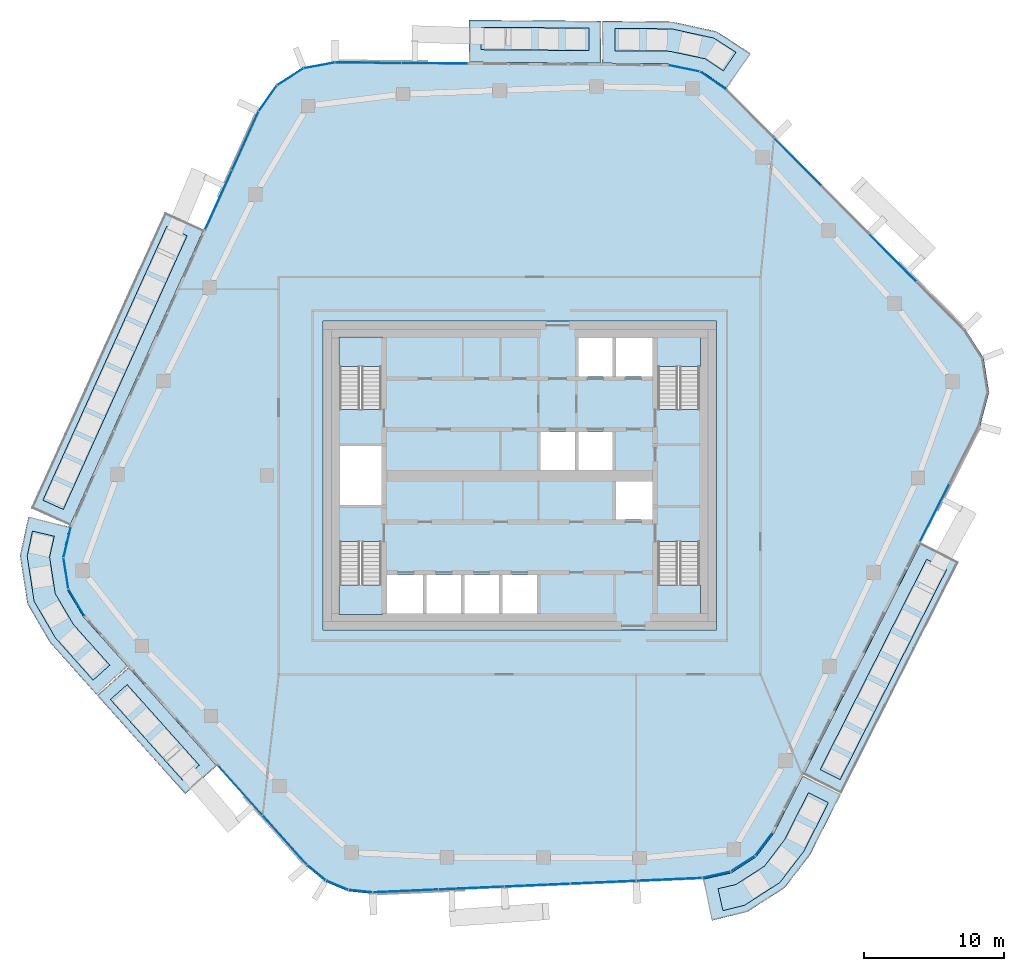
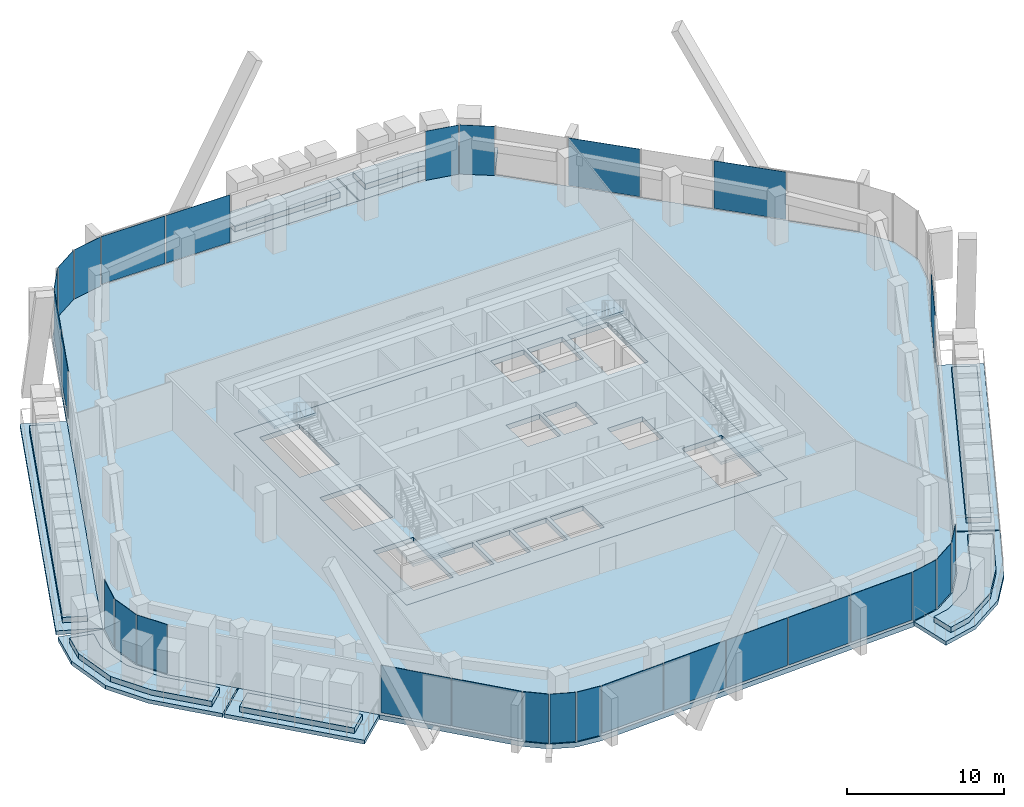
# One storey, part 11 of 23: 28 plates, 20 slabs, 15 elements without a shape of their own.
"""IFC4 building model written with IfcOpenShell, lengths in metres."""

from ifc_helpers import new_model, si_unit, direction, frame, origin, origin_2d, place, context, subcontext, project, spatial, polyline, rectangle, outline, extrude, material, layer, layer_set, type_object, element, aggregate, save


model = new_model("IFC4")

# Units and contexts
model_context = context("Model", 3, precision=1e-05, world=origin(), true_north=direction((0.0, 1.0)))
body_context = subcontext(model_context, "Body", "Model", "MODEL_VIEW")
ifc_project = project(units=[si_unit("LENGTHUNIT", "METRE"), si_unit("AREAUNIT", "SQUARE_METRE"), si_unit("VOLUMEUNIT", "CUBIC_METRE"), si_unit("PLANEANGLEUNIT", "RADIAN"), si_unit("MASSUNIT", "GRAM", prefix="KILO")], contexts=[model_context])

# Site, building, storey
site_placement = place(None, origin())
site = spatial("IfcSite", under=ifc_project, at=site_placement, CompositionType="ELEMENT")
building_placement = place(site_placement, origin())
building = spatial("IfcBuilding", under=site, at=building_placement, Name="Dongbaek Canopy Tower", CompositionType="ELEMENT")
storey_placement = place(building_placement, frame((0.0, 0.0, 327.800048828125)))
storey = spatial("IfcBuildingStorey", under=building, at=storey_placement, Name="L70", CompositionType="ELEMENT", Elevation=327.800048828125)

# Slabs
ifc_material_1 = material(Name="Concrete C40/50", Category="concrete")
ifc_layer_1 = layer(ifc_material_1, 0.300048828125)
ifc_layer_set_1 = layer_set([ifc_layer_1], Name="Balcony slab 300")
slab_type_1 = type_object("IfcSlabType", Name="Balcony slab 300", PredefinedType="FLOOR", material=ifc_layer_set_1)
slab_1_placement = place(storey_placement, frame((0.0, 0.0, -0.300048828125)))
element("IfcSlab", 1, at=slab_1_placement, inside=storey, type_object=slab_type_1, Name="Balcony L70 1", PredefinedType="FLOOR", context=body_context, shape_type="SweptSolid", body=[
    extrude(outline(polyline([(5.77734375, 29.36767578125), (-3.613037109375, 29.440673828125), (-3.58984375, 32.440673828125), (5.80078125, 32.36767578125), (5.77734375, 29.36767578125)])), origin(), (0.0, 0.0, 1.0), 0.300048828125),
])
slab_2_placement = place(storey_placement, frame((0.0, 0.0, -0.300048828125)))
element("IfcSlab", 2, at=slab_2_placement, inside=storey, type_object=slab_type_1, Name="Balcony L70 5", PredefinedType="FLOOR", context=body_context, shape_type="SweptSolid", body=[
    extrude(outline(polyline([(14.750732421875, 27.57763671875), (12.859130859375, 28.8583984375), (10.57275390625, 29.330322265625), (5.87744140625, 29.366943359375), (5.90087890625, 32.366943359375), (10.88916015625, 32.313720703125), (14.025634765625, 31.622314453125), (16.432861328125, 30.061767578125), (14.750732421875, 27.57763671875)])), origin(), (0.0, 0.0, 1.0), 0.300048828125),
])
slab_3_placement = place(storey_placement, frame((0.0, 0.0, -0.300048828125)))
element("IfcSlab", 3, at=slab_3_placement, inside=storey, type_object=slab_type_1, Name="Balcony L70 2", PredefinedType="FLOOR", context=body_context, shape_type="SweptSolid", body=[
    extrude(outline(polyline([(-22.5107421875, 17.49072265625), (-32.026611328125, -3.54736328125), (-34.760009765625, -2.31103515625), (-25.244140625, 18.72705078125), (-22.5107421875, 17.49072265625)])), origin(), (0.0, 0.0, 1.0), 0.300048828125),
])
slab_4_placement = place(storey_placement, frame((0.0, 0.0, -0.300048828125)))
element("IfcSlab", 4, at=slab_4_placement, inside=storey, type_object=slab_type_1, Name="Balcony L70 3", PredefinedType="FLOOR", context=body_context, shape_type="SweptSolid", body=[
    extrude(outline(polyline([(-27.848388671875, -13.645751953125), (-21.575927734375, -20.65478515625), (-23.811279296875, -22.6552734375), (-30.083984375, -15.646484375), (-27.848388671875, -13.645751953125)])), origin(), (0.0, 0.0, 1.0), 0.300048828125),
])
slab_5_placement = place(storey_placement, frame((0.0, 0.0, -0.300048828125)))
element("IfcSlab", 5, at=slab_5_placement, inside=storey, type_object=slab_type_1, Name="Balcony L70 6", PredefinedType="FLOOR", context=body_context, shape_type="SweptSolid", body=[
    extrude(outline(polyline([(-32.05859375, -3.6416015625), (-32.57568359375, -5.82666015625), (-32.226806640625, -8.09521484375), (-31.051513671875, -10.06689453125), (-27.9150390625, -13.5712890625), (-30.150634765625, -15.572021484375), (-33.46875, -11.843505859375), (-35.0498046875, -9.110107421875), (-35.5732421875, -5.70703125), (-34.97802734375, -2.950927734375), (-32.05859375, -3.6416015625)])), origin(), (0.0, 0.0, 1.0), 0.300048828125),
])
slab_6_placement = place(storey_placement, frame((0.0, 0.0, -0.300048828125)))
element("IfcSlab", 6, at=slab_6_placement, inside=storey, type_object=slab_type_1, Name="Balcony L70 4", PredefinedType="FLOOR", context=body_context, shape_type="SweptSolid", body=[
    extrude(outline(polyline([(20.214111328125, -21.2763671875), (28.56201171875, -4.800537109375), (31.238037109375, -6.156494140625), (22.89013671875, -22.63232421875), (20.214111328125, -21.2763671875)])), origin(), (0.0, 0.0, 1.0), 0.300048828125),
])
slab_7_placement = place(storey_placement, frame((0.0, 0.0, -0.300048828125)))
element("IfcSlab", 7, at=slab_7_placement, inside=storey, type_object=slab_type_1, Name="Balcony L70 7", PredefinedType="FLOOR", context=body_context, shape_type="SweptSolid", body=[
    extrude(outline(polyline([(13.05126953125, -28.73388671875), (15.05712890625, -28.285400390625), (16.82666015625, -27.144287109375), (18.09326171875, -25.462158203125), (20.1689453125, -21.365478515625), (22.844970703125, -22.721435546875), (20.639404296875, -27.048583984375), (18.86962890625, -29.34130859375), (16.21533203125, -31.052734375), (13.705810546875, -31.66162109375), (13.05126953125, -28.73388671875)])), origin(), (0.0, 0.0, 1.0), 0.300048828125),
])

# Curtain wall, plates
ifc_material_2 = material(Name="Aluminium 6063-T6 pale anodised", Category="aluminium")
ifc_layer_2 = layer(ifc_material_2, 0.199951171875)
ifc_layer_set_2 = layer_set([ifc_layer_2], Name="CW-1 unitised tower curtain wall")
curtain_wall_type = type_object("IfcCurtainWallType", Name="CW-1 unitised tower curtain wall", PredefinedType="NOTDEFINED", material=ifc_layer_set_2)
curtain_wall_1_placement = place(storey_placement, origin())
curtain_wall_1 = element("IfcCurtainWall", 8, at=curtain_wall_1_placement, inside=storey, type_object=curtain_wall_type, Name="CW-1 curtain wall F0.1", PredefinedType="NOTDEFINED")
ifc_material_3 = material(Name="Clear laminated glass", Category="glass")
ifc_layer_3 = layer(ifc_material_3, 0.028076171875)
ifc_layer_set_3 = layer_set([ifc_layer_3], Name="CW-1 glazed panel 28")
plate_type = type_object("IfcPlateType", Name="CW-1 glazed panel 28", PredefinedType="CURTAIN_PANEL", material=ifc_layer_set_3)
plate_1_placement = place(storey_placement, frame((26.552978515625, 15.5146484375, 0.1201171875), z_axis=(0.0, 0.0, 1.0), x_axis=(-0.703156354287, 0.711035260325, 0.0)))
plate_1 = element("IfcPlate", 9, at=plate_1_placement, type_object=plate_type, Name="CW-1 panel F0.1.2.1", PredefinedType="CURTAIN_PANEL", context=body_context, shape_type="SweptSolid", body=[
    extrude(rectangle(XDim=4.7236328125, YDim=0.028076171875, at=origin_2d()), origin(), (0.0, 0.0, 1.0), 3.699951171875),
])
plate_2_placement = place(storey_placement, frame((19.7919921875, 22.3515625, 0.1201171875), z_axis=(0.0, 0.0, 1.0), x_axis=(-0.703156354287, 0.711035260325, 0.0)))
plate_2 = element("IfcPlate", 10, at=plate_2_placement, type_object=plate_type, Name="CW-1 panel F0.1.4.1", PredefinedType="CURTAIN_PANEL", context=body_context, shape_type="SweptSolid", body=[
    extrude(rectangle(XDim=4.7236328125, YDim=0.028076171875, at=origin_2d()), origin(), (0.0, 0.0, 1.0), 3.699951171875),
])
aggregate(curtain_wall_1, [plate_1, plate_2])

curtain_wall_2_placement = place(storey_placement, origin())
curtain_wall_2 = element("IfcCurtainWall", 11, at=curtain_wall_2_placement, inside=storey, type_object=curtain_wall_type, Name="CW-1 curtain wall K1.1", PredefinedType="NOTDEFINED")
plate_3_placement = place(storey_placement, frame((13.773681640625, 28.118408203125, 0.0), z_axis=(0.0, 0.0, 1.0), x_axis=(-0.828051778261, 0.560651632049, 0.0)))
plate_3 = element("IfcPlate", 12, at=plate_3_placement, type_object=plate_type, Name="CW-1 panel K1.1.1.1", PredefinedType="CURTAIN_PANEL", context=body_context, shape_type="SweptSolid", body=[
    extrude(rectangle(XDim=2.220947265625, YDim=0.028076171875, at=origin_2d()), origin(), (0.0, 0.0, 1.0), 3.820068359375),
])
plate_4_placement = place(storey_placement, frame((11.690673828125, 28.99755859375, 0.0), z_axis=(0.0, 0.0, 1.0), x_axis=(-0.979349311488, 0.2021754834, 0.0)))
plate_4 = element("IfcPlate", 13, at=plate_4_placement, type_object=plate_type, Name="CW-1 panel K1.1.2.1", PredefinedType="CURTAIN_PANEL", context=body_context, shape_type="SweptSolid", body=[
    extrude(rectangle(XDim=2.220947265625, YDim=0.028076171875, at=origin_2d()), origin(), (0.0, 0.0, 1.0), 3.820068359375),
])
aggregate(curtain_wall_2, [plate_3, plate_4])

curtain_wall_3_placement = place(storey_placement, origin())
curtain_wall_3 = element("IfcCurtainWall", 14, at=curtain_wall_3_placement, inside=storey, type_object=curtain_wall_type, Name="CW-1 curtain wall F1.1", PredefinedType="NOTDEFINED")
plate_5_placement = place(storey_placement, frame((-6.03662109375, 29.359619140625, 0.1201171875), z_axis=(0.0, 0.0, 1.0), x_axis=(-0.999969721279, 0.007781807363, 0.0)))
plate_5 = element("IfcPlate", 15, at=plate_5_placement, type_object=plate_type, Name="CW-1 panel F1.1.1.1", PredefinedType="CURTAIN_PANEL", context=body_context, shape_type="SweptSolid", body=[
    extrude(rectangle(XDim=4.661376953125, YDim=0.028076171875, at=origin_2d()), origin(), (0.0, 0.0, 1.0), 3.699951171875),
])
plate_6_placement = place(storey_placement, frame((-10.777099609375, 29.396484375, 0.1201171875), z_axis=(0.0, 0.0, 1.0), x_axis=(-0.999969721279, 0.007781807363, 0.0)))
plate_6 = element("IfcPlate", 16, at=plate_6_placement, type_object=plate_type, Name="CW-1 panel F1.1.2.1", PredefinedType="CURTAIN_PANEL", context=body_context, shape_type="SweptSolid", body=[
    extrude(rectangle(XDim=4.65185546875, YDim=0.028076171875, at=origin_2d()), origin(), (0.0, 0.0, 1.0), 3.699951171875),
])
aggregate(curtain_wall_3, [plate_5, plate_6])

curtain_wall_4_placement = place(storey_placement, origin())
curtain_wall_4 = element("IfcCurtainWall", 17, at=curtain_wall_4_placement, inside=storey, type_object=curtain_wall_type, Name="CW-1 curtain wall K2.1", PredefinedType="NOTDEFINED")
plate_7_placement = place(storey_placement, frame((-14.2578125, 29.207275390625, 0.0), z_axis=(0.0, 0.0, 1.0), x_axis=(-0.983024896136, -0.183472214729, 0.0)))
plate_7 = element("IfcPlate", 18, at=plate_7_placement, type_object=plate_type, Name="CW-1 panel K2.1.1.1", PredefinedType="CURTAIN_PANEL", context=body_context, shape_type="SweptSolid", body=[
    extrude(rectangle(XDim=2.18017578125, YDim=0.028076171875, at=origin_2d()), origin(), (0.0, 0.0, 1.0), 3.820068359375),
])
plate_8_placement = place(storey_placement, frame((-16.3203125, 28.39208984375, 0.0), z_axis=(0.0, 0.0, 1.0), x_axis=(-0.842377584823, -0.538887747668, 0.0)))
plate_8 = element("IfcPlate", 19, at=plate_8_placement, type_object=plate_type, Name="CW-1 panel K2.1.2.1", PredefinedType="CURTAIN_PANEL", context=body_context, shape_type="SweptSolid", body=[
    extrude(rectangle(XDim=2.17041015625, YDim=0.028076171875, at=origin_2d()), origin(), (0.0, 0.0, 1.0), 3.820068359375),
])
plate_9_placement = place(storey_placement, frame((-17.9248046875, 26.861328125, 0.0), z_axis=(0.0, 0.0, 1.0), x_axis=(-0.578657335452, -0.815570774444, 0.0)))
plate_9 = element("IfcPlate", 20, at=plate_9_placement, type_object=plate_type, Name="CW-1 panel K2.1.3.1", PredefinedType="CURTAIN_PANEL", context=body_context, shape_type="SweptSolid", body=[
    extrude(rectangle(XDim=2.18017578125, YDim=0.028076171875, at=origin_2d()), origin(), (0.0, 0.0, 1.0), 3.820068359375),
])
aggregate(curtain_wall_4, [plate_7, plate_8, plate_9])

curtain_wall_5_placement = place(storey_placement, origin())
curtain_wall_5 = element("IfcCurtainWall", 21, at=curtain_wall_5_placement, inside=storey, type_object=curtain_wall_type, Name="CW-1 curtain wall F2.1", PredefinedType="NOTDEFINED")
plate_10_placement = place(storey_placement, frame((-19.53369140625, 23.829345703125, 0.1201171875), z_axis=(0.0, 0.0, 1.0), x_axis=(-0.412122242389, -0.911128562459, 0.0)))
plate_10 = element("IfcPlate", 22, at=plate_10_placement, type_object=plate_type, Name="CW-1 panel F2.1.1.1", PredefinedType="CURTAIN_PANEL", context=body_context, shape_type="SweptSolid", body=[
    extrude(rectangle(XDim=4.54443359375, YDim=0.028076171875, at=origin_2d()), origin(), (0.0, 0.0, 1.0), 3.699951171875),
])
plate_11_placement = place(storey_placement, frame((-21.443115234375, 19.60791015625, 0.1201171875), z_axis=(0.0, 0.0, 1.0), x_axis=(-0.412122242389, -0.911128562459, 0.0)))
plate_11 = element("IfcPlate", 23, at=plate_11_placement, type_object=plate_type, Name="CW-1 panel F2.1.2.1", PredefinedType="CURTAIN_PANEL", context=body_context, shape_type="SweptSolid", body=[
    extrude(rectangle(XDim=4.553955078125, YDim=0.028076171875, at=origin_2d()), origin(), (0.0, 0.0, 1.0), 3.699951171875),
])
aggregate(curtain_wall_5, [plate_10, plate_11])

curtain_wall_6_placement = place(storey_placement, origin())
curtain_wall_6 = element("IfcCurtainWall", 24, at=curtain_wall_6_placement, inside=storey, type_object=curtain_wall_type, Name="CW-1 curtain wall K3.1", PredefinedType="NOTDEFINED")
plate_12_placement = place(storey_placement, frame((-32.212890625, -4.72802734375, 0.0), z_axis=(0.0, 0.0, 1.0), x_axis=(-0.2302319643, -0.973135778098, 0.0)))
plate_12 = element("IfcPlate", 25, at=plate_12_placement, type_object=plate_type, Name="CW-1 panel K3.1.1.1", PredefinedType="CURTAIN_PANEL", context=body_context, shape_type="SweptSolid", body=[
    extrude(rectangle(XDim=2.18212890625, YDim=0.028076171875, at=origin_2d()), origin(), (0.0, 0.0, 1.0), 3.820068359375),
])
plate_13_placement = place(storey_placement, frame((-32.30224609375, -6.94580078125, 0.0), z_axis=(0.0, 0.0, 1.0), x_axis=(0.152024279653, -0.988376759336, 0.0)))
plate_13 = element("IfcPlate", 26, at=plate_13_placement, type_object=plate_type, Name="CW-1 panel K3.1.2.1", PredefinedType="CURTAIN_PANEL", context=body_context, shape_type="SweptSolid", body=[
    extrude(rectangle(XDim=2.17236328125, YDim=0.028076171875, at=origin_2d()), origin(), (0.0, 0.0, 1.0), 3.820068359375),
])
plate_14_placement = place(storey_placement, frame((-31.550537109375, -9.0341796875, 0.0), z_axis=(0.0, 0.0, 1.0), x_axis=(0.512031447433, -0.858966702987, 0.0)))
plate_14 = element("IfcPlate", 27, at=plate_14_placement, type_object=plate_type, Name="CW-1 panel K3.1.3.1", PredefinedType="CURTAIN_PANEL", context=body_context, shape_type="SweptSolid", body=[
    extrude(rectangle(XDim=2.18212890625, YDim=0.028076171875, at=origin_2d()), origin(), (0.0, 0.0, 1.0), 3.820068359375),
])
aggregate(curtain_wall_6, [plate_12, plate_13, plate_14])

curtain_wall_7_placement = place(storey_placement, origin())
curtain_wall_7 = element("IfcCurtainWall", 28, at=curtain_wall_7_placement, inside=storey, type_object=curtain_wall_type, Name="CW-1 curtain wall F3.1", PredefinedType="NOTDEFINED")
plate_15_placement = place(storey_placement, frame((-19.88330078125, -22.396240234375, 0.1201171875), z_axis=(0.0, 0.0, 1.0), x_axis=(0.666880185022, -0.745164960814, 0.0)))
plate_15 = element("IfcPlate", 29, at=plate_15_placement, type_object=plate_type, Name="CW-1 panel F3.1.1.1", PredefinedType="CURTAIN_PANEL", context=body_context, shape_type="SweptSolid", body=[
    extrude(rectangle(XDim=4.6689453125, YDim=0.028076171875, at=origin_2d()), origin(), (0.0, 0.0, 1.0), 3.699951171875),
])
plate_16_placement = place(storey_placement, frame((-16.716064453125, -25.93505859375, 0.1201171875), z_axis=(0.0, 0.0, 1.0), x_axis=(0.666880185022, -0.745164960814, 0.0)))
plate_16 = element("IfcPlate", 30, at=plate_16_placement, type_object=plate_type, Name="CW-1 panel F3.1.2.1", PredefinedType="CURTAIN_PANEL", context=body_context, shape_type="SweptSolid", body=[
    extrude(rectangle(XDim=4.66162109375, YDim=0.028076171875, at=origin_2d()), origin(), (0.0, 0.0, 1.0), 3.699951171875),
])
aggregate(curtain_wall_7, [plate_15, plate_16])

curtain_wall_8_placement = place(storey_placement, origin())
curtain_wall_8 = element("IfcCurtainWall", 31, at=curtain_wall_8_placement, inside=storey, type_object=curtain_wall_type, Name="CW-1 curtain wall K4.1", PredefinedType="NOTDEFINED")
plate_17_placement = place(storey_placement, frame((-14.464599609375, -28.25927734375, 0.0), z_axis=(0.0, 0.0, 1.0), x_axis=(0.769085282662, -0.63914617107, 0.0)))
plate_17 = element("IfcPlate", 32, at=plate_17_placement, type_object=plate_type, Name="CW-1 panel K4.1.1.1", PredefinedType="CURTAIN_PANEL", context=body_context, shape_type="SweptSolid", body=[
    extrude(rectangle(XDim=1.656005859375, YDim=0.028076171875, at=origin_2d()), origin(), (0.0, 0.0, 1.0), 3.820068359375),
])
plate_18_placement = place(storey_placement, frame((-12.9970703125, -29.151611328125, 0.0), z_axis=(0.0, 0.0, 1.0), x_axis=(0.92160591426, -0.388126962219, 0.0)))
plate_18 = element("IfcPlate", 33, at=plate_18_placement, type_object=plate_type, Name="CW-1 panel K4.1.2.1", PredefinedType="CURTAIN_PANEL", context=body_context, shape_type="SweptSolid", body=[
    extrude(rectangle(XDim=1.648681640625, YDim=0.028076171875, at=origin_2d()), origin(), (0.0, 0.0, 1.0), 3.820068359375),
])
plate_19_placement = place(storey_placement, frame((-11.333251953125, -29.578125, 0.0), z_axis=(0.0, 0.0, 1.0), x_axis=(0.994616667146, -0.103622803641, 0.0)))
plate_19 = element("IfcPlate", 34, at=plate_19_placement, type_object=plate_type, Name="CW-1 panel K4.1.3.1", PredefinedType="CURTAIN_PANEL", context=body_context, shape_type="SweptSolid", body=[
    extrude(rectangle(XDim=1.656005859375, YDim=0.028076171875, at=origin_2d()), origin(), (0.0, 0.0, 1.0), 3.820068359375),
])
aggregate(curtain_wall_8, [plate_17, plate_18, plate_19])

curtain_wall_9_placement = place(storey_placement, origin())
curtain_wall_9 = element("IfcCurtainWall", 35, at=curtain_wall_9_placement, inside=storey, type_object=curtain_wall_type, Name="CW-1 curtain wall F4.1", PredefinedType="NOTDEFINED")
plate_20_placement = place(storey_placement, frame((-8.124267578125, -29.56591796875, 0.1201171875), z_axis=(0.0, 0.0, 1.0), x_axis=(0.999050304484, 0.04357165489, 0.0)))
plate_20 = element("IfcPlate", 36, at=plate_20_placement, type_object=plate_type, Name="CW-1 panel F4.1.1.1", PredefinedType="CURTAIN_PANEL", context=body_context, shape_type="SweptSolid", body=[
    extrude(rectangle(XDim=4.607666015625, YDim=0.028076171875, at=origin_2d()), origin(), (0.0, 0.0, 1.0), 3.699951171875),
])
plate_21_placement = place(storey_placement, frame((-3.433349609375, -29.361328125, 0.1201171875), z_axis=(0.0, 0.0, 1.0), x_axis=(0.999050304484, 0.04357165489, 0.0)))
plate_21 = element("IfcPlate", 37, at=plate_21_placement, type_object=plate_type, Name="CW-1 panel F4.1.2.1", PredefinedType="CURTAIN_PANEL", context=body_context, shape_type="SweptSolid", body=[
    extrude(rectangle(XDim=4.615234375, YDim=0.028076171875, at=origin_2d()), origin(), (0.0, 0.0, 1.0), 3.699951171875),
])
plate_22_placement = place(storey_placement, frame((1.261474609375, -29.15673828125, 0.1201171875), z_axis=(0.0, 0.0, 1.0), x_axis=(0.999050304484, 0.04357165489, 0.0)))
plate_22 = element("IfcPlate", 38, at=plate_22_placement, type_object=plate_type, Name="CW-1 panel F4.1.3.1", PredefinedType="CURTAIN_PANEL", context=body_context, shape_type="SweptSolid", body=[
    extrude(rectangle(XDim=4.615234375, YDim=0.028076171875, at=origin_2d()), origin(), (0.0, 0.0, 1.0), 3.699951171875),
])
plate_23_placement = place(storey_placement, frame((5.9560546875, -28.951904296875, 0.1201171875), z_axis=(0.0, 0.0, 1.0), x_axis=(0.999050304484, 0.04357165489, 0.0)))
plate_23 = element("IfcPlate", 39, at=plate_23_placement, type_object=plate_type, Name="CW-1 panel F4.1.4.1", PredefinedType="CURTAIN_PANEL", context=body_context, shape_type="SweptSolid", body=[
    extrude(rectangle(XDim=4.615234375, YDim=0.028076171875, at=origin_2d()), origin(), (0.0, 0.0, 1.0), 3.699951171875),
])
plate_24_placement = place(storey_placement, frame((10.646240234375, -28.747314453125, 0.1201171875), z_axis=(0.0, 0.0, 1.0), x_axis=(0.999050304484, 0.04357165489, 0.0)))
plate_24 = element("IfcPlate", 40, at=plate_24_placement, type_object=plate_type, Name="CW-1 panel F4.1.5.1", PredefinedType="CURTAIN_PANEL", context=body_context, shape_type="SweptSolid", body=[
    extrude(rectangle(XDim=4.606201171875, YDim=0.028076171875, at=origin_2d()), origin(), (0.0, 0.0, 1.0), 3.699951171875),
])
aggregate(curtain_wall_9, [plate_20, plate_21, plate_22, plate_23, plate_24])

curtain_wall_10_placement = place(storey_placement, origin())
curtain_wall_10 = element("IfcCurtainWall", 41, at=curtain_wall_10_placement, inside=storey, type_object=curtain_wall_type, Name="CW-1 curtain wall K5.1", PredefinedType="NOTDEFINED")
plate_25_placement = place(storey_placement, frame((14.003662109375, -28.41845703125, 0.0), z_axis=(0.0, 0.0, 1.0), x_axis=(0.975906502636, 0.218189133811, 0.0)))
plate_25 = element("IfcPlate", 42, at=plate_25_placement, type_object=plate_type, Name="CW-1 panel K5.1.1.1", PredefinedType="CURTAIN_PANEL", context=body_context, shape_type="SweptSolid", body=[
    extrude(rectangle(XDim=1.994873046875, YDim=0.028076171875, at=origin_2d()), origin(), (0.0, 0.0, 1.0), 3.820068359375),
])
plate_26_placement = place(storey_placement, frame((15.8876953125, -27.630859375, 0.0), z_axis=(0.0, 0.0, 1.0), x_axis=(0.840438394843, 0.541907099486, 0.0)))
plate_26 = element("IfcPlate", 43, at=plate_26_placement, type_object=plate_type, Name="CW-1 panel K5.1.2.1", PredefinedType="CURTAIN_PANEL", context=body_context, shape_type="SweptSolid", body=[
    extrude(rectangle(XDim=1.98583984375, YDim=0.028076171875, at=origin_2d()), origin(), (0.0, 0.0, 1.0), 3.820068359375),
])
plate_27_placement = place(storey_placement, frame((17.3828125, -26.239501953125, 0.0), z_axis=(0.0, 0.0, 1.0), x_axis=(0.60147456013, 0.798891953593, 0.0)))
plate_27 = element("IfcPlate", 44, at=plate_27_placement, type_object=plate_type, Name="CW-1 panel K5.1.3.1", PredefinedType="CURTAIN_PANEL", context=body_context, shape_type="SweptSolid", body=[
    extrude(rectangle(XDim=1.994873046875, YDim=0.028076171875, at=origin_2d()), origin(), (0.0, 0.0, 1.0), 3.820068359375),
])
aggregate(curtain_wall_10, [plate_25, plate_26, plate_27])

# Curtain wall, plate
curtain_wall_11_placement = place(storey_placement, origin())
curtain_wall_11 = element("IfcCurtainWall", 45, at=curtain_wall_11_placement, inside=storey, type_object=curtain_wall_type, Name="CW-1 curtain wall F5.1", PredefinedType="NOTDEFINED")
plate_28_placement = place(storey_placement, frame((29.54443359375, -2.64013671875, 0.1201171875), z_axis=(0.0, 0.0, 1.0), x_axis=(0.451969985266, 0.892033145359, 0.0)))
plate_28 = element("IfcPlate", 46, at=plate_28_placement, type_object=plate_type, Name="CW-1 panel F5.1.1.1", PredefinedType="CURTAIN_PANEL", context=body_context, shape_type="SweptSolid", body=[
    extrude(rectangle(XDim=4.55859375, YDim=0.028076171875, at=origin_2d()), origin(), (0.0, 0.0, 1.0), 3.699951171875),
])
aggregate(curtain_wall_11, [plate_28])

# Slab
ifc_material_4 = material(Name="Concrete C40/50", Category="concrete")
ifc_layer_4 = layer(ifc_material_4, 0.3798828125)
ifc_layer_set_4 = layer_set([ifc_layer_4], Name="Core floor slab 380 Concrete C40/50")
slab_type_2 = type_object("IfcSlabType", Name="Core floor slab 380 Concrete C40/50", PredefinedType="FLOOR", material=ifc_layer_set_4)
slab_8_placement = place(storey_placement, frame((0.0, 0.0, -0.380126953125)))
element("IfcSlab", 47, at=slab_8_placement, inside=storey, type_object=slab_type_2, Name="Core floor slab L70", PredefinedType="FLOOR", context=body_context, shape_type="SweptSolid", body=[
    extrude(outline(polyline([(14.0, -11.0), (14.0, 11.0), (-14.0, 11.0), (-14.0, -11.0), (14.0, -11.0)]), holes=[polyline([(-12.800048828125, 2.10009765625), (-9.85009765625, 2.10009765625), (-9.85009765625, -2.10009765625), (-12.800048828125, -2.10009765625), (-12.800048828125, 2.10009765625)]), polyline([(6.625, 9.800048828125), (6.625, 7.074951171875), (4.175048828125, 7.074951171875), (4.175048828125, 9.800048828125), (6.625, 9.800048828125)]), polyline([(9.449951171875, 7.074951171875), (6.875, 7.074951171875), (6.875, 9.800048828125), (9.449951171875, 9.800048828125), (9.449951171875, 7.074951171875)]), polyline([(1.47509765625, 0.39990234375), (1.47509765625, 3.125), (3.925048828125, 3.125), (3.925048828125, 0.39990234375), (1.47509765625, 0.39990234375)]), polyline([(4.175048828125, 0.39990234375), (4.175048828125, 3.125), (6.625, 3.125), (6.625, 0.39990234375), (4.175048828125, 0.39990234375)]), polyline([(9.449951171875, -3.125), (6.875, -3.125), (6.875, -0.39990234375), (9.449951171875, -0.39990234375), (9.449951171875, -3.125)]), polyline([(-9.449951171875, -7.074951171875), (-6.875, -7.074951171875), (-6.875, -9.800048828125), (-9.449951171875, -9.800048828125), (-9.449951171875, -7.074951171875)]), polyline([(-6.625, -9.800048828125), (-6.625, -7.074951171875), (-4.175048828125, -7.074951171875), (-4.175048828125, -9.800048828125), (-6.625, -9.800048828125)]), polyline([(-3.925048828125, -9.800048828125), (-3.925048828125, -7.074951171875), (-1.47509765625, -7.074951171875), (-1.47509765625, -9.800048828125), (-3.925048828125, -9.800048828125)]), polyline([(-1.22509765625, -9.800048828125), (-1.22509765625, -7.074951171875), (1.22509765625, -7.074951171875), (1.22509765625, -9.800048828125), (-1.22509765625, -9.800048828125)]), polyline([(12.800048828125, 4.70068359375), (12.800048828125, 9.800048828125), (9.85009765625, 9.800048828125), (9.85009765625, 4.70068359375), (12.800048828125, 4.70068359375)]), polyline([(-9.85009765625, 4.70068359375), (-9.85009765625, 9.800048828125), (-12.800048828125, 9.800048828125), (-12.800048828125, 4.70068359375), (-9.85009765625, 4.70068359375)]), polyline([(9.85009765625, -4.70068359375), (9.85009765625, -9.800048828125), (12.800048828125, -9.800048828125), (12.800048828125, -4.70068359375), (9.85009765625, -4.70068359375)]), polyline([(-12.800048828125, -4.70068359375), (-12.800048828125, -9.800048828125), (-9.85009765625, -9.800048828125), (-9.85009765625, -4.70068359375), (-12.800048828125, -4.70068359375)])]), origin(), (0.0, 0.0, 1.0), 0.380126953125),
])

# Stair, slab
ifc_material_5 = material(Name="Concrete C40/50", Category="concrete")
stair_type = type_object("IfcStairType", Name="Core exit stair", PredefinedType="HALF_TURN_STAIR", material=ifc_material_5)
stair_1_placement = place(storey_placement, origin())
stair_1 = element("IfcStair", 48, at=stair_1_placement, inside=storey, type_object=stair_type, Name="L70 exit stair A", PredefinedType="HALF_TURN_STAIR")
ifc_material_6 = material(Name="Concrete C40/50", Category="concrete")
ifc_layer_5 = layer(ifc_material_6, 0.199951171875)
ifc_layer_set_5 = layer_set([ifc_layer_5], Name="Core stair landing 200")
slab_type_3 = type_object("IfcSlabType", Name="Core stair landing 200", PredefinedType="LANDING", material=ifc_layer_set_5)
slab_9_placement = place(storey_placement, frame((0.0, 0.0, 1.89990234375)))
slab_9 = element("IfcSlab", 49, at=slab_9_placement, type_object=slab_type_3, Name="ST-A landing 1", PredefinedType="LANDING", context=body_context, shape_type="SweptSolid", body=[
    extrude(outline(polyline([(12.875, 7.780029296875), (12.875, 9.875), (9.77490234375, 9.875), (9.77490234375, 7.780029296875), (12.875, 7.780029296875)])), origin(), (0.0, 0.0, 1.0), 0.199951171875),
])
aggregate(stair_1, [slab_9])

stair_2_placement = place(storey_placement, origin())
stair_2 = element("IfcStair", 50, at=stair_2_placement, inside=storey, type_object=stair_type, Name="L70 exit stair C", PredefinedType="HALF_TURN_STAIR")
slab_10_placement = place(storey_placement, frame((0.0, 0.0, 1.89990234375)))
slab_10 = element("IfcSlab", 51, at=slab_10_placement, type_object=slab_type_3, Name="ST-C landing 1", PredefinedType="LANDING", context=body_context, shape_type="SweptSolid", body=[
    extrude(outline(polyline([(-9.77490234375, 7.780029296875), (-9.77490234375, 9.875), (-12.875, 9.875), (-12.875, 7.780029296875), (-9.77490234375, 7.780029296875)])), origin(), (0.0, 0.0, 1.0), 0.199951171875),
])
aggregate(stair_2, [slab_10])

stair_3_placement = place(storey_placement, origin())
stair_3 = element("IfcStair", 52, at=stair_3_placement, inside=storey, type_object=stair_type, Name="L70 exit stair B", PredefinedType="HALF_TURN_STAIR")
slab_11_placement = place(storey_placement, frame((0.0, 0.0, 1.89990234375)))
slab_11 = element("IfcSlab", 53, at=slab_11_placement, type_object=slab_type_3, Name="ST-B landing 1", PredefinedType="LANDING", context=body_context, shape_type="SweptSolid", body=[
    extrude(outline(polyline([(9.77490234375, -7.780029296875), (9.77490234375, -9.875), (12.875, -9.875), (12.875, -7.780029296875), (9.77490234375, -7.780029296875)])), origin(), (0.0, 0.0, 1.0), 0.199951171875),
])
aggregate(stair_3, [slab_11])

stair_4_placement = place(storey_placement, origin())
stair_4 = element("IfcStair", 54, at=stair_4_placement, inside=storey, type_object=stair_type, Name="L70 exit stair D", PredefinedType="HALF_TURN_STAIR")
slab_12_placement = place(storey_placement, frame((0.0, 0.0, 1.89990234375)))
slab_12 = element("IfcSlab", 55, at=slab_12_placement, type_object=slab_type_3, Name="ST-D landing 1", PredefinedType="LANDING", context=body_context, shape_type="SweptSolid", body=[
    extrude(outline(polyline([(-12.875, -7.780029296875), (-12.875, -9.875), (-9.77490234375, -9.875), (-9.77490234375, -7.780029296875), (-12.875, -7.780029296875)])), origin(), (0.0, 0.0, 1.0), 0.199951171875),
])
aggregate(stair_4, [slab_12])

# Slabs
ifc_material_7 = material(Name="Concrete C40", Category="concrete")
ifc_layer_6 = layer(ifc_material_7, 0.3798828125)
ifc_layer_set_6 = layer_set([ifc_layer_6], Name="RC FLAT PLATE 380 Concrete C40")
slab_type_4 = type_object("IfcSlabType", Name="RC FLAT PLATE 380 Concrete C40", PredefinedType="FLOOR", material=ifc_layer_set_6)
slab_13_placement = place(storey_placement, frame((0.0, 0.0, -0.380126953125)))
element("IfcSlab", 56, at=slab_13_placement, inside=storey, type_object=slab_type_4, Name="SLAB:L70", PredefinedType="FLOOR", context=body_context, shape_type="SweptSolid", body=[
    extrude(outline(polyline([(18.09326171875, -25.462158203125), (16.826904296875, -27.144287109375), (15.05712890625, -28.285400390625), (13.00244140625, -28.74462890625), (-10.470947265625, -29.768310546875), (-12.2236328125, -29.585693359375), (-13.847900390625, -28.90185546875), (-15.203369140625, -27.775390625), (-31.051513671875, -10.06689453125), (-32.226806640625, -8.09521484375), (-32.57568359375, -5.82666015625), (-32.047119140625, -3.593017578125), (-18.667236328125, 25.98779296875), (-17.340087890625, 27.8583984375), (-15.408203125, 29.09423828125), (-13.15380859375, 29.514892578125), (10.57275390625, 29.330322265625), (12.859130859375, 28.8583984375), (14.792236328125, 27.549560546875), (31.695068359375, 10.457275390625), (33.03662109375, 8.3720703125), (33.42041015625, 5.92236328125), (32.781005859375, 3.526611328125), (18.09326171875, -25.462158203125)]), holes=[polyline([(14.0, 11.0), (-14.0, 11.0), (-14.0, -11.0), (14.0, -11.0), (14.0, 11.0)])]), origin(), (0.0, 0.0, 1.0), 0.380126953125),
])
ifc_material_8 = material(Name="Reinforced concrete C40/50 planter box with soil", Category="concrete")
ifc_layer_7 = layer(ifc_material_8, 0.419921875)
ifc_layer_set_7 = layer_set([ifc_layer_7], Name="Terrace planter box 1600 x 420")
slab_type_5 = type_object("IfcSlabType", Name="Terrace planter box 1600 x 420", PredefinedType="USERDEFINED", material=ifc_layer_set_7)
slab_14_placement = place(storey_placement, origin())
element("IfcSlab", 57, at=slab_14_placement, inside=storey, type_object=slab_type_5, Name="Balcony planter L70 1", ObjectType="PLANTER", PredefinedType="USERDEFINED", context=body_context, shape_type="SweptSolid", body=[
    extrude(outline(polyline([(4.934326171875, 30.264404296875), (-2.75634765625, 30.32421875), (-2.743896484375, 31.924072265625), (4.94677734375, 31.8642578125), (4.934326171875, 30.264404296875)])), origin(), (0.0, 0.0, 1.0), 0.419921875),
])
slab_15_placement = place(storey_placement, origin())
element("IfcSlab", 58, at=slab_15_placement, inside=storey, type_object=slab_type_5, Name="Balcony planter L70 5", ObjectType="PLANTER", PredefinedType="USERDEFINED", context=body_context, shape_type="SweptSolid", body=[
    extrude(outline(polyline([(14.504638671875, 28.819091796875), (13.205078125, 29.678466796875), (10.66650390625, 30.21533203125), (6.784423828125, 30.25), (6.796875, 31.849853515625), (10.83544921875, 31.806396484375), (13.827392578125, 31.15234375), (15.401611328125, 30.14404296875), (14.504638671875, 28.819091796875)])), origin(), (0.0, 0.0, 1.0), 0.419921875),
])
slab_16_placement = place(storey_placement, origin())
element("IfcSlab", 59, at=slab_16_placement, inside=storey, type_object=slab_type_5, Name="Balcony planter L70 2", ObjectType="PLANTER", PredefinedType="USERDEFINED", context=body_context, shape_type="SweptSolid", body=[
    extrude(outline(polyline([(-23.671875, 17.0830078125), (-32.487060546875, -2.406005859375), (-33.945068359375, -1.74658203125), (-25.129638671875, 17.742431640625), (-23.671875, 17.0830078125)])), origin(), (0.0, 0.0, 1.0), 0.419921875),
])
slab_17_placement = place(storey_placement, origin())
element("IfcSlab", 60, at=slab_17_placement, inside=storey, type_object=slab_type_5, Name="Balcony planter L70 3", ObjectType="PLANTER", PredefinedType="USERDEFINED", context=body_context, shape_type="SweptSolid", body=[
    extrude(outline(polyline([(-27.94482421875, -14.872802734375), (-22.805908203125, -20.614990234375), (-23.998291015625, -21.681884765625), (-29.136962890625, -15.939697265625), (-27.94482421875, -14.872802734375)])), origin(), (0.0, 0.0, 1.0), 0.419921875),
])
slab_18_placement = place(storey_placement, origin())
element("IfcSlab", 61, at=slab_18_placement, inside=storey, type_object=slab_type_5, Name="Balcony planter L70 6", ObjectType="PLANTER", PredefinedType="USERDEFINED", context=body_context, shape_type="SweptSolid", body=[
    extrude(outline(polyline([(-33.132080078125, -4.3125), (-33.46484375, -5.791015625), (-33.064208984375, -8.396240234375), (-31.7685546875, -10.593994140625), (-29.178466796875, -13.494140625), (-30.370849609375, -14.561279296875), (-33.057861328125, -11.54150390625), (-34.56982421875, -8.9375), (-35.063720703125, -5.727294921875), (-34.68896484375, -3.944091796875), (-33.132080078125, -4.3125)])), origin(), (0.0, 0.0, 1.0), 0.419921875),
])
slab_19_placement = place(storey_placement, origin())
element("IfcSlab", 62, at=slab_19_placement, inside=storey, type_object=slab_type_5, Name="Balcony planter L70 4", ObjectType="PLANTER", PredefinedType="USERDEFINED", context=body_context, shape_type="SweptSolid", body=[
    extrude(outline(polyline([(21.39208984375, -20.92041015625), (28.9716796875, -5.9609375), (30.39892578125, -6.684326171875), (22.8193359375, -21.6435546875), (21.39208984375, -20.92041015625)])), origin(), (0.0, 0.0, 1.0), 0.419921875),
])
slab_20_placement = place(storey_placement, origin())
element("IfcSlab", 63, at=slab_20_placement, inside=storey, type_object=slab_type_5, Name="Balcony planter L70 7", ObjectType="PLANTER", PredefinedType="USERDEFINED", context=body_context, shape_type="SweptSolid", body=[
    extrude(outline(polyline([(14.123779296875, -29.406005859375), (15.40087890625, -29.106201171875), (17.432861328125, -27.796142578125), (18.8486328125, -25.932861328125), (20.555908203125, -22.570556640625), (21.983154296875, -23.293701171875), (20.20654296875, -26.77880859375), (18.5224609375, -28.9677734375), (16.0185546875, -30.582275390625), (14.472900390625, -30.967529296875), (14.123779296875, -29.406005859375)])), origin(), (0.0, 0.0, 1.0), 0.419921875),
])

save(model, "model.ifc")
